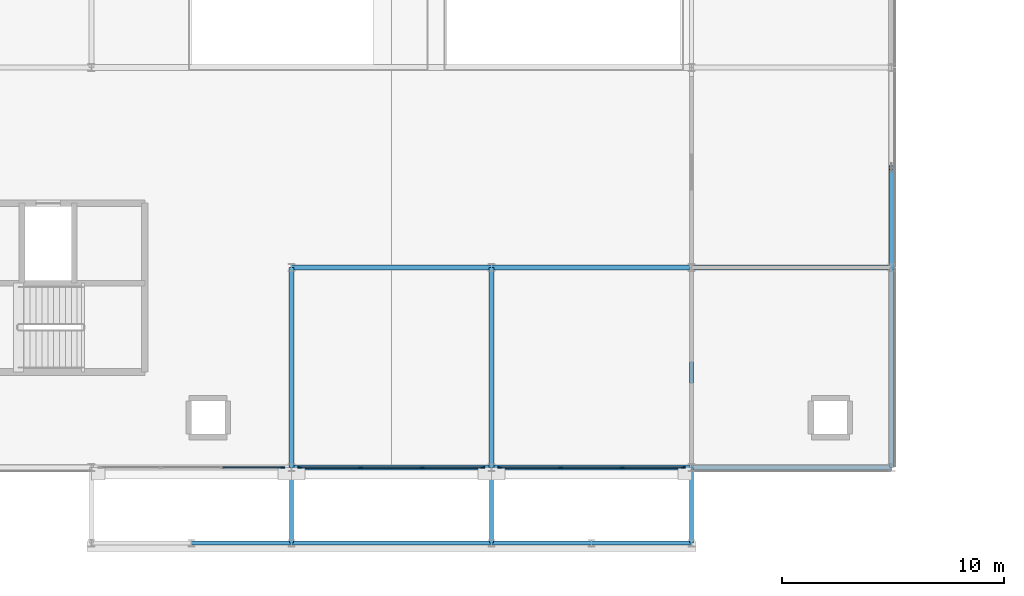
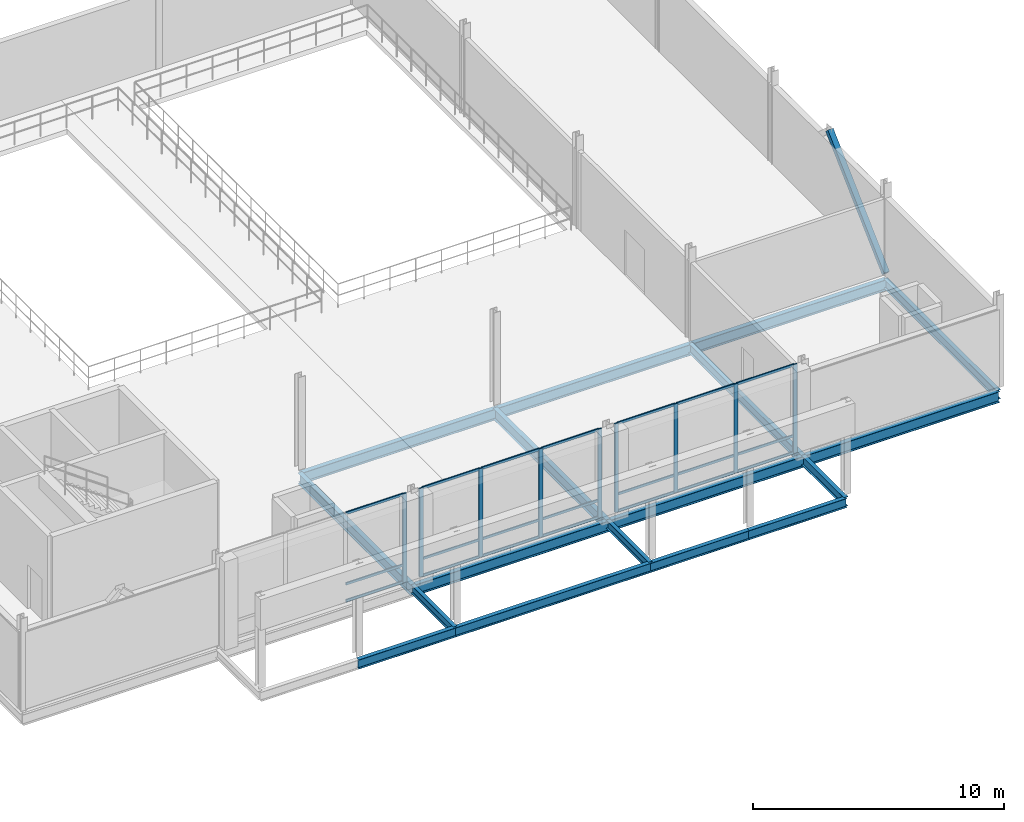
# One storey, part 46 of 130: 31 members, 17 beams, 3 elements without a shape of their own.
"""IFC4 building model written with IfcOpenShell, lengths in metres."""

from ifc_helpers import new_model, si_unit, direction, frame, origin, origin_2d, place, context, subcontext, project, spatial, rectangle, hollow_rectangle, i_section, extrude, material, material_profile, profile_set, type_object, element, aggregate, save


model = new_model("IFC4")

# Units and contexts
model_context = context("Model", 3, precision=1e-05, world=origin(), true_north=direction((0.0, 1.0)))
body_context = subcontext(model_context, "Body", "Model", "MODEL_VIEW")
ifc_project = project(units=[si_unit("LENGTHUNIT", "METRE"), si_unit("AREAUNIT", "SQUARE_METRE"), si_unit("VOLUMEUNIT", "CUBIC_METRE"), si_unit("PLANEANGLEUNIT", "RADIAN"), si_unit("MASSUNIT", "GRAM", prefix="KILO"), si_unit("THERMODYNAMICTEMPERATUREUNIT", "KELVIN"), si_unit("POWERUNIT", "WATT")], contexts=[model_context])

# Site, building, storey
site_placement = place(None, origin())
site = spatial("IfcSite", under=ifc_project, at=site_placement, CompositionType="ELEMENT")
building_placement = place(site_placement, origin())
building = spatial("IfcBuilding", under=site, at=building_placement, Name="Tallowbark Science Centre", CompositionType="ELEMENT")
storey_placement = place(building_placement, frame((0.0, 0.0, 5.39990234375)))
storey = spatial("IfcBuildingStorey", under=building, at=storey_placement, Name="L01", CompositionType="ELEMENT", Elevation=5.39990234375)

# Beams
ifc_material_1 = material(Name="Structural Steel Grade 300PLUS (300 MPa)", Category="steel")
ifc_material_profile_1 = material_profile(ifc_material_1, i_section(OverallWidth=0.177734375, OverallDepth=0.406494140625, WebThickness=0.0078125, FlangeThickness=0.0126953125, FilletRadius=0.011474609375, at=origin_2d()), Name="410UB59.7")
ifc_profile_set_1 = profile_set([ifc_material_profile_1], Name="Structural Steel Grade 300PLUS (300 MPa)")
beam_type_1 = type_object("IfcBeamType", Name="BM-UB410", PredefinedType="BEAM", material=ifc_profile_set_1)
for number, where, z_axis, x_axis, name in (
    (1, (130.5, -3.39990234375, -0.447998046875), (0.0, 1.0, 0.0), (-1.0, 0.0, 0.0), "Primary Girder GRDY-L01-1305--34-0"),
    (2, (139.5, -3.39990234375, -0.447998046875), (0.0, 1.0, 0.0), (-1.0, 0.0, 0.0), "Primary Girder GRDY-L01-1395--34-0"),
):
    element("IfcBeam", number, at=place(storey_placement, frame(where, z_axis=z_axis, x_axis=x_axis)), inside=storey, type_object=beam_type_1, Name=name, PredefinedType="BEAM", context=body_context, shape_type="SweptSolid", body=[
        extrude(i_section(OverallWidth=0.177734375, OverallDepth=0.406494140625, WebThickness=0.0078125, FlangeThickness=0.0126953125, FilletRadius=0.011474609375, at=origin_2d()), origin(), (0.0, 0.0, 1.0), 3.39990234375),
    ])
ifc_material_profile_2 = material_profile(ifc_material_1, i_section(OverallWidth=0.208984375, OverallDepth=0.532958984375, WebThickness=0.01025390625, FlangeThickness=0.015625, FilletRadius=0.013916015625, at=origin_2d()), Name="530UB92.4")
ifc_profile_set_2 = profile_set([ifc_material_profile_2], Name="Structural Steel Grade 300PLUS (300 MPa)")
beam_type_2 = type_object("IfcBeamType", Name="BM-UB530A", PredefinedType="BEAM", material=ifc_profile_set_2)
for number, where, z_axis, x_axis, name in (
    (3, (130.5, 9.0, -0.511474609375), (1.0, 0.0, 0.0), (0.0, 1.0, 0.0), "Primary Girder GRDX-L01-1305-1395-90"),
    (4, (139.5, 9.0, -0.511474609375), (1.0, 0.0, 0.0), (0.0, 1.0, 0.0), "Primary Girder GRDX-L01-1395-1485-90"),
    (5, (148.5, 9.0, -0.511474609375), (1.0, 0.0, 0.0), (0.0, 1.0, 0.0), "Primary Girder GRDX-L01-1485-1575-90"),
):
    element("IfcBeam", number, at=place(storey_placement, frame(where, z_axis=z_axis, x_axis=x_axis)), inside=storey, type_object=beam_type_2, Name=name, PredefinedType="BEAM", context=body_context, shape_type="SweptSolid", body=[
        extrude(i_section(OverallWidth=0.208984375, OverallDepth=0.532958984375, WebThickness=0.01025390625, FlangeThickness=0.015625, FilletRadius=0.013916015625, at=origin_2d()), origin(), (0.0, 0.0, 1.0), 9.0),
    ])
ifc_material_profile_3 = material_profile(ifc_material_1, i_section(OverallWidth=0.208740234375, OverallDepth=0.5283203125, WebThickness=0.009521484375, FlangeThickness=0.01318359375, FilletRadius=0.013916015625, at=origin_2d()), Name="530UB82.0")
ifc_profile_set_3 = profile_set([ifc_material_profile_3], Name="Structural Steel Grade 300PLUS (300 MPa)")
beam_type_3 = type_object("IfcBeamType", Name="BM-UB530B", PredefinedType="BEAM", material=ifc_profile_set_3)
for number, where, z_axis, x_axis, name in (
    (6, (130.5, 0.0, -0.509033203125), (0.0, 1.0, 0.0), (-1.0, 0.0, 0.0), "Primary Girder GRDY-L01-1305-0-90"),
    (7, (139.5, 0.0, -0.509033203125), (0.0, 1.0, 0.0), (-1.0, 0.0, 0.0), "Primary Girder GRDY-L01-1395-0-90"),
):
    element("IfcBeam", number, at=place(storey_placement, frame(where, z_axis=z_axis, x_axis=x_axis)), inside=storey, type_object=beam_type_3, Name=name, PredefinedType="BEAM", context=body_context, shape_type="SweptSolid", body=[
        extrude(i_section(OverallWidth=0.208740234375, OverallDepth=0.5283203125, WebThickness=0.009521484375, FlangeThickness=0.01318359375, FilletRadius=0.013916015625, at=origin_2d()), origin(), (0.0, 0.0, 1.0), 9.0),
    ])

# Member
ifc_material_2 = material(Name="Structural Steel Grade C350L0 (350 MPa)", Category="steel")
ifc_material_profile_4 = material_profile(ifc_material_2, hollow_rectangle(XDim=0.25, YDim=0.25, WallThickness=0.009033203125, at=origin_2d()), Name="250x250x9.0SHS")
ifc_profile_set_4 = profile_set([ifc_material_profile_4], Name="Structural Steel Grade C350L0 (350 MPa)")
member_type_1 = type_object("IfcMemberType", Name="CBF-250SHS", PredefinedType="BRACE", material=ifc_profile_set_4)
member_1_placement = place(storey_placement, frame((157.5, 9.0, 0.0), z_axis=(0.0, 0.72701315255, 0.686623532964), x_axis=(-1.0, 0.0, 0.0)))
element("IfcMember", 8, at=member_1_placement, inside=storey, type_object=member_type_1, Name="Concentric Chevron Brace CBF-THT-E1 L01 Left", PredefinedType="BRACE", context=body_context, shape_type="SweptSolid", body=[
    extrude(hollow_rectangle(XDim=0.25, YDim=0.25, WallThickness=0.009033203125, at=origin_2d()), origin(), (0.0, 0.0, 1.0), 6.189697265625),
])

# Curtain wall, member
ifc_material_3 = material(Name="Unitised Thermally Broken Aluminium and Low-E Double Glazing", Category="aluminium")
curtain_wall_type = type_object("IfcCurtainWallType", Name="CW-SYS-FACADE", PredefinedType="NOTDEFINED", material=ifc_material_3)
curtain_wall_1_placement = place(storey_placement, origin())
curtain_wall_1 = element("IfcCurtainWall", 9, at=curtain_wall_1_placement, inside=storey, type_object=curtain_wall_type, Name="Unitised Curtain Wall THT-POR-S-1 CW-L01-002", PredefinedType="NOTDEFINED")
ifc_material_4 = material(Name="Anodised Architectural Aluminium Alloy 6063-T6", Category="aluminium")
ifc_material_profile_5 = material_profile(ifc_material_4, rectangle(XDim=0.06494140625, YDim=0.179931640625, at=origin_2d()), Name="ALU65x180")
ifc_profile_set_5 = profile_set([ifc_material_profile_5], Name="Anodised Architectural Aluminium Alloy 6063-T6")
member_type_2 = type_object("IfcMemberType", Name="CWM-MUL-220", PredefinedType="MULLION", material=ifc_profile_set_5)
member_2_placement = place(storey_placement, frame((130.117431640625, 0.0, 0.0), z_axis=(0.0, 0.0, 1.0), x_axis=(0.0, 1.0, 0.0)))
member_2 = element("IfcMember", 10, at=member_2_placement, type_object=member_type_2, Name="CW-01 mullion 4", PredefinedType="MULLION", context=body_context, shape_type="SweptSolid", body=[
    extrude(rectangle(XDim=0.06494140625, YDim=0.179931640625, at=origin_2d()), origin(), (0.0, 0.0, 1.0), 4.320068359375),
])

# Curtain wall, members
curtain_wall_2_placement = place(storey_placement, origin())
curtain_wall_2 = element("IfcCurtainWall", 11, at=curtain_wall_2_placement, inside=storey, type_object=curtain_wall_type, Name="Unitised Curtain Wall THT-POR-S-2 CW-L01-003", PredefinedType="NOTDEFINED")
member_3_placement = place(storey_placement, frame((130.882568359375, 0.0, 0.0), z_axis=(0.0, 0.0, 1.0), x_axis=(0.0, 1.0, 0.0)))
member_3 = element("IfcMember", 12, at=member_3_placement, type_object=member_type_2, Name="CW-01 mullion 1", PredefinedType="MULLION", context=body_context, shape_type="SweptSolid", body=[
    extrude(rectangle(XDim=0.06494140625, YDim=0.179931640625, at=origin_2d()), origin(), (0.0, 0.0, 1.0), 4.320068359375),
])
member_4_placement = place(storey_placement, frame((133.61669921875, 0.0, 0.0), z_axis=(0.0, 0.0, 1.0), x_axis=(0.0, 1.0, 0.0)))
member_4 = element("IfcMember", 13, at=member_4_placement, type_object=member_type_2, Name="CW-01 mullion 2", PredefinedType="MULLION", context=body_context, shape_type="SweptSolid", body=[
    extrude(rectangle(XDim=0.06494140625, YDim=0.179931640625, at=origin_2d()), origin(), (0.0, 0.0, 1.0), 4.320068359375),
])
member_5_placement = place(storey_placement, frame((136.38330078125, 0.0, 0.0), z_axis=(0.0, 0.0, 1.0), x_axis=(0.0, 1.0, 0.0)))
member_5 = element("IfcMember", 14, at=member_5_placement, type_object=member_type_2, Name="CW-01 mullion 3", PredefinedType="MULLION", context=body_context, shape_type="SweptSolid", body=[
    extrude(rectangle(XDim=0.06494140625, YDim=0.179931640625, at=origin_2d()), origin(), (0.0, 0.0, 1.0), 4.320068359375),
])
member_6_placement = place(storey_placement, frame((139.117431640625, 0.0, 0.0), z_axis=(0.0, 0.0, 1.0), x_axis=(0.0, 1.0, 0.0)))
member_6 = element("IfcMember", 15, at=member_6_placement, type_object=member_type_2, Name="CW-01 mullion 4", PredefinedType="MULLION", context=body_context, shape_type="SweptSolid", body=[
    extrude(rectangle(XDim=0.06494140625, YDim=0.179931640625, at=origin_2d()), origin(), (0.0, 0.0, 1.0), 4.320068359375),
])

curtain_wall_3_placement = place(storey_placement, origin())
curtain_wall_3 = element("IfcCurtainWall", 16, at=curtain_wall_3_placement, inside=storey, type_object=curtain_wall_type, Name="Unitised Curtain Wall THT-POR-S-3 CW-L01-004", PredefinedType="NOTDEFINED")
member_7_placement = place(storey_placement, frame((139.882568359375, 0.0, 0.0), z_axis=(0.0, 0.0, 1.0), x_axis=(0.0, 1.0, 0.0)))
member_7 = element("IfcMember", 17, at=member_7_placement, type_object=member_type_2, Name="CW-01 mullion 1", PredefinedType="MULLION", context=body_context, shape_type="SweptSolid", body=[
    extrude(rectangle(XDim=0.06494140625, YDim=0.179931640625, at=origin_2d()), origin(), (0.0, 0.0, 1.0), 4.320068359375),
])
member_8_placement = place(storey_placement, frame((142.61669921875, 0.0, 0.0), z_axis=(0.0, 0.0, 1.0), x_axis=(0.0, 1.0, 0.0)))
member_8 = element("IfcMember", 18, at=member_8_placement, type_object=member_type_2, Name="CW-01 mullion 2", PredefinedType="MULLION", context=body_context, shape_type="SweptSolid", body=[
    extrude(rectangle(XDim=0.06494140625, YDim=0.179931640625, at=origin_2d()), origin(), (0.0, 0.0, 1.0), 4.320068359375),
])
member_9_placement = place(storey_placement, frame((145.38330078125, 0.0, 0.0), z_axis=(0.0, 0.0, 1.0), x_axis=(0.0, 1.0, 0.0)))
member_9 = element("IfcMember", 19, at=member_9_placement, type_object=member_type_2, Name="CW-01 mullion 3", PredefinedType="MULLION", context=body_context, shape_type="SweptSolid", body=[
    extrude(rectangle(XDim=0.06494140625, YDim=0.179931640625, at=origin_2d()), origin(), (0.0, 0.0, 1.0), 4.320068359375),
])
member_10_placement = place(storey_placement, frame((148.117431640625, 0.0, 0.0), z_axis=(0.0, 0.0, 1.0), x_axis=(0.0, 1.0, 0.0)))
member_10 = element("IfcMember", 20, at=member_10_placement, type_object=member_type_2, Name="CW-01 mullion 4", PredefinedType="MULLION", context=body_context, shape_type="SweptSolid", body=[
    extrude(rectangle(XDim=0.06494140625, YDim=0.179931640625, at=origin_2d()), origin(), (0.0, 0.0, 1.0), 4.320068359375),
])

# Member
ifc_material_profile_6 = material_profile(ifc_material_4, rectangle(XDim=0.054931640625, YDim=0.1201171875, at=origin_2d()), Name="ALU55x120")
ifc_profile_set_6 = profile_set([ifc_material_profile_6], Name="Anodised Architectural Aluminium Alloy 6063-T6")
member_type_3 = type_object("IfcMemberType", Name="CWM-TRN-150", PredefinedType="USERDEFINED", material=ifc_profile_set_6)
member_11_placement = place(storey_placement, frame((127.415771484375, 0.0, 0.027587890625), z_axis=(1.0, 0.0, 0.0), x_axis=(0.0, 1.0, 0.0)))
member_11 = element("IfcMember", 21, at=member_11_placement, type_object=member_type_3, Name="CW-01 transom 3.1", ObjectType="TRANSOM", PredefinedType="USERDEFINED", context=body_context, shape_type="SweptSolid", body=[
    extrude(rectangle(XDim=0.054931640625, YDim=0.1201171875, at=origin_2d()), origin(), (0.0, 0.0, 1.0), 2.669189453125),
])

member_12_placement = place(storey_placement, frame((127.415771484375, 0.0, 0.85009765625), z_axis=(1.0, 0.0, 0.0), x_axis=(0.0, 1.0, 0.0)))
member_12 = element("IfcMember", 22, at=member_12_placement, type_object=member_type_3, Name="CW-01 transom 3.2", ObjectType="TRANSOM", PredefinedType="USERDEFINED", context=body_context, shape_type="SweptSolid", body=[
    extrude(rectangle(XDim=0.054931640625, YDim=0.1201171875, at=origin_2d()), origin(), (0.0, 0.0, 1.0), 2.669189453125),
])

member_13_placement = place(storey_placement, frame((127.415771484375, 0.0, 4.29248046875), z_axis=(1.0, 0.0, 0.0), x_axis=(0.0, 1.0, 0.0)))
member_13 = element("IfcMember", 23, at=member_13_placement, type_object=member_type_3, Name="CW-01 transom 3.3", ObjectType="TRANSOM", PredefinedType="USERDEFINED", context=body_context, shape_type="SweptSolid", body=[
    extrude(rectangle(XDim=0.054931640625, YDim=0.1201171875, at=origin_2d()), origin(), (0.0, 0.0, 1.0), 2.669189453125),
])

aggregate(curtain_wall_1, [member_2, member_11, member_12, member_13])

member_14_placement = place(storey_placement, frame((130.9150390625, 0.0, 0.027587890625), z_axis=(1.0, 0.0, 0.0), x_axis=(0.0, 1.0, 0.0)))
member_14 = element("IfcMember", 24, at=member_14_placement, type_object=member_type_3, Name="CW-01 transom 1.1", ObjectType="TRANSOM", PredefinedType="USERDEFINED", context=body_context, shape_type="SweptSolid", body=[
    extrude(rectangle(XDim=0.054931640625, YDim=0.1201171875, at=origin_2d()), origin(), (0.0, 0.0, 1.0), 2.669189453125),
])

member_15_placement = place(storey_placement, frame((130.9150390625, 0.0, 0.85009765625), z_axis=(1.0, 0.0, 0.0), x_axis=(0.0, 1.0, 0.0)))
member_15 = element("IfcMember", 25, at=member_15_placement, type_object=member_type_3, Name="CW-01 transom 1.2", ObjectType="TRANSOM", PredefinedType="USERDEFINED", context=body_context, shape_type="SweptSolid", body=[
    extrude(rectangle(XDim=0.054931640625, YDim=0.1201171875, at=origin_2d()), origin(), (0.0, 0.0, 1.0), 2.669189453125),
])

member_16_placement = place(storey_placement, frame((130.9150390625, 0.0, 4.29248046875), z_axis=(1.0, 0.0, 0.0), x_axis=(0.0, 1.0, 0.0)))
member_16 = element("IfcMember", 26, at=member_16_placement, type_object=member_type_3, Name="CW-01 transom 1.3", ObjectType="TRANSOM", PredefinedType="USERDEFINED", context=body_context, shape_type="SweptSolid", body=[
    extrude(rectangle(XDim=0.054931640625, YDim=0.1201171875, at=origin_2d()), origin(), (0.0, 0.0, 1.0), 2.669189453125),
])

member_17_placement = place(storey_placement, frame((133.649169921875, 0.0, 0.027587890625), z_axis=(1.0, 0.0, 0.0), x_axis=(0.0, 1.0, 0.0)))
member_17 = element("IfcMember", 27, at=member_17_placement, type_object=member_type_3, Name="CW-01 transom 2.1", ObjectType="TRANSOM", PredefinedType="USERDEFINED", context=body_context, shape_type="SweptSolid", body=[
    extrude(rectangle(XDim=0.054931640625, YDim=0.1201171875, at=origin_2d()), origin(), (0.0, 0.0, 1.0), 2.70166015625),
])

member_18_placement = place(storey_placement, frame((133.649169921875, 0.0, 0.85009765625), z_axis=(1.0, 0.0, 0.0), x_axis=(0.0, 1.0, 0.0)))
member_18 = element("IfcMember", 28, at=member_18_placement, type_object=member_type_3, Name="CW-01 transom 2.2", ObjectType="TRANSOM", PredefinedType="USERDEFINED", context=body_context, shape_type="SweptSolid", body=[
    extrude(rectangle(XDim=0.054931640625, YDim=0.1201171875, at=origin_2d()), origin(), (0.0, 0.0, 1.0), 2.70166015625),
])

member_19_placement = place(storey_placement, frame((133.649169921875, 0.0, 4.29248046875), z_axis=(1.0, 0.0, 0.0), x_axis=(0.0, 1.0, 0.0)))
member_19 = element("IfcMember", 29, at=member_19_placement, type_object=member_type_3, Name="CW-01 transom 2.3", ObjectType="TRANSOM", PredefinedType="USERDEFINED", context=body_context, shape_type="SweptSolid", body=[
    extrude(rectangle(XDim=0.054931640625, YDim=0.1201171875, at=origin_2d()), origin(), (0.0, 0.0, 1.0), 2.70166015625),
])

member_20_placement = place(storey_placement, frame((136.415771484375, 0.0, 0.027587890625), z_axis=(1.0, 0.0, 0.0), x_axis=(0.0, 1.0, 0.0)))
member_20 = element("IfcMember", 30, at=member_20_placement, type_object=member_type_3, Name="CW-01 transom 3.1", ObjectType="TRANSOM", PredefinedType="USERDEFINED", context=body_context, shape_type="SweptSolid", body=[
    extrude(rectangle(XDim=0.054931640625, YDim=0.1201171875, at=origin_2d()), origin(), (0.0, 0.0, 1.0), 2.669189453125),
])

member_21_placement = place(storey_placement, frame((136.415771484375, 0.0, 0.85009765625), z_axis=(1.0, 0.0, 0.0), x_axis=(0.0, 1.0, 0.0)))
member_21 = element("IfcMember", 31, at=member_21_placement, type_object=member_type_3, Name="CW-01 transom 3.2", ObjectType="TRANSOM", PredefinedType="USERDEFINED", context=body_context, shape_type="SweptSolid", body=[
    extrude(rectangle(XDim=0.054931640625, YDim=0.1201171875, at=origin_2d()), origin(), (0.0, 0.0, 1.0), 2.669189453125),
])

member_22_placement = place(storey_placement, frame((136.415771484375, 0.0, 4.29248046875), z_axis=(1.0, 0.0, 0.0), x_axis=(0.0, 1.0, 0.0)))
member_22 = element("IfcMember", 32, at=member_22_placement, type_object=member_type_3, Name="CW-01 transom 3.3", ObjectType="TRANSOM", PredefinedType="USERDEFINED", context=body_context, shape_type="SweptSolid", body=[
    extrude(rectangle(XDim=0.054931640625, YDim=0.1201171875, at=origin_2d()), origin(), (0.0, 0.0, 1.0), 2.669189453125),
])

aggregate(curtain_wall_2, [member_3, member_4, member_5, member_6, member_14, member_15, member_16, member_17, member_18, member_19, member_20, member_21, member_22])

member_23_placement = place(storey_placement, frame((139.9150390625, 0.0, 0.027587890625), z_axis=(1.0, 0.0, 0.0), x_axis=(0.0, 1.0, 0.0)))
member_23 = element("IfcMember", 33, at=member_23_placement, type_object=member_type_3, Name="CW-01 transom 1.1", ObjectType="TRANSOM", PredefinedType="USERDEFINED", context=body_context, shape_type="SweptSolid", body=[
    extrude(rectangle(XDim=0.054931640625, YDim=0.1201171875, at=origin_2d()), origin(), (0.0, 0.0, 1.0), 2.669189453125),
])

member_24_placement = place(storey_placement, frame((139.9150390625, 0.0, 0.85009765625), z_axis=(1.0, 0.0, 0.0), x_axis=(0.0, 1.0, 0.0)))
member_24 = element("IfcMember", 34, at=member_24_placement, type_object=member_type_3, Name="CW-01 transom 1.2", ObjectType="TRANSOM", PredefinedType="USERDEFINED", context=body_context, shape_type="SweptSolid", body=[
    extrude(rectangle(XDim=0.054931640625, YDim=0.1201171875, at=origin_2d()), origin(), (0.0, 0.0, 1.0), 2.669189453125),
])

member_25_placement = place(storey_placement, frame((139.9150390625, 0.0, 4.29248046875), z_axis=(1.0, 0.0, 0.0), x_axis=(0.0, 1.0, 0.0)))
member_25 = element("IfcMember", 35, at=member_25_placement, type_object=member_type_3, Name="CW-01 transom 1.3", ObjectType="TRANSOM", PredefinedType="USERDEFINED", context=body_context, shape_type="SweptSolid", body=[
    extrude(rectangle(XDim=0.054931640625, YDim=0.1201171875, at=origin_2d()), origin(), (0.0, 0.0, 1.0), 2.669189453125),
])

member_26_placement = place(storey_placement, frame((142.649169921875, 0.0, 0.027587890625), z_axis=(1.0, 0.0, 0.0), x_axis=(0.0, 1.0, 0.0)))
member_26 = element("IfcMember", 36, at=member_26_placement, type_object=member_type_3, Name="CW-01 transom 2.1", ObjectType="TRANSOM", PredefinedType="USERDEFINED", context=body_context, shape_type="SweptSolid", body=[
    extrude(rectangle(XDim=0.054931640625, YDim=0.1201171875, at=origin_2d()), origin(), (0.0, 0.0, 1.0), 2.70166015625),
])

member_27_placement = place(storey_placement, frame((142.649169921875, 0.0, 0.85009765625), z_axis=(1.0, 0.0, 0.0), x_axis=(0.0, 1.0, 0.0)))
member_27 = element("IfcMember", 37, at=member_27_placement, type_object=member_type_3, Name="CW-01 transom 2.2", ObjectType="TRANSOM", PredefinedType="USERDEFINED", context=body_context, shape_type="SweptSolid", body=[
    extrude(rectangle(XDim=0.054931640625, YDim=0.1201171875, at=origin_2d()), origin(), (0.0, 0.0, 1.0), 2.70166015625),
])

member_28_placement = place(storey_placement, frame((142.649169921875, 0.0, 4.29248046875), z_axis=(1.0, 0.0, 0.0), x_axis=(0.0, 1.0, 0.0)))
member_28 = element("IfcMember", 38, at=member_28_placement, type_object=member_type_3, Name="CW-01 transom 2.3", ObjectType="TRANSOM", PredefinedType="USERDEFINED", context=body_context, shape_type="SweptSolid", body=[
    extrude(rectangle(XDim=0.054931640625, YDim=0.1201171875, at=origin_2d()), origin(), (0.0, 0.0, 1.0), 2.70166015625),
])

member_29_placement = place(storey_placement, frame((145.415771484375, 0.0, 0.027587890625), z_axis=(1.0, 0.0, 0.0), x_axis=(0.0, 1.0, 0.0)))
member_29 = element("IfcMember", 39, at=member_29_placement, type_object=member_type_3, Name="CW-01 transom 3.1", ObjectType="TRANSOM", PredefinedType="USERDEFINED", context=body_context, shape_type="SweptSolid", body=[
    extrude(rectangle(XDim=0.054931640625, YDim=0.1201171875, at=origin_2d()), origin(), (0.0, 0.0, 1.0), 2.669189453125),
])

member_30_placement = place(storey_placement, frame((145.415771484375, 0.0, 0.85009765625), z_axis=(1.0, 0.0, 0.0), x_axis=(0.0, 1.0, 0.0)))
member_30 = element("IfcMember", 40, at=member_30_placement, type_object=member_type_3, Name="CW-01 transom 3.2", ObjectType="TRANSOM", PredefinedType="USERDEFINED", context=body_context, shape_type="SweptSolid", body=[
    extrude(rectangle(XDim=0.054931640625, YDim=0.1201171875, at=origin_2d()), origin(), (0.0, 0.0, 1.0), 2.669189453125),
])

member_31_placement = place(storey_placement, frame((145.415771484375, 0.0, 4.29248046875), z_axis=(1.0, 0.0, 0.0), x_axis=(0.0, 1.0, 0.0)))
member_31 = element("IfcMember", 41, at=member_31_placement, type_object=member_type_3, Name="CW-01 transom 3.3", ObjectType="TRANSOM", PredefinedType="USERDEFINED", context=body_context, shape_type="SweptSolid", body=[
    extrude(rectangle(XDim=0.054931640625, YDim=0.1201171875, at=origin_2d()), origin(), (0.0, 0.0, 1.0), 2.669189453125),
])

aggregate(curtain_wall_3, [member_7, member_8, member_9, member_10, member_23, member_24, member_25, member_26, member_27, member_28, member_29, member_30, member_31])

# Beams
ifc_material_profile_7 = material_profile(ifc_material_1, i_section(OverallWidth=0.208984375, OverallDepth=0.532958984375, WebThickness=0.01025390625, FlangeThickness=0.015625, FilletRadius=0.013916015625, at=origin_2d()), Name="530UB92.4")
ifc_profile_set_7 = profile_set([ifc_material_profile_7], Name="Structural Steel Grade 300PLUS (300 MPa)")
beam_type_4 = type_object("IfcBeamType", Name="LNT-UB530", PredefinedType="LINTEL", material=ifc_profile_set_7)
for number, where, z_axis, x_axis, name in (
    (42, (130.5, 0.0, -0.511474609375), (1.0, 0.0, 0.0), (0.0, 1.0, 0.0), "Primary Girder GRDX-L01-1305-1395-0"),
    (43, (139.5, 0.0, -0.511474609375), (1.0, 0.0, 0.0), (0.0, 1.0, 0.0), "Primary Girder GRDX-L01-1395-1485-0"),
    (44, (148.5, 0.0, -0.511474609375), (1.0, 0.0, 0.0), (0.0, 1.0, 0.0), "Primary Girder GRDX-L01-1485-1575-0"),
):
    element("IfcBeam", number, at=place(storey_placement, frame(where, z_axis=z_axis, x_axis=x_axis)), inside=storey, type_object=beam_type_4, Name=name, PredefinedType="LINTEL", context=body_context, shape_type="SweptSolid", body=[
        extrude(i_section(OverallWidth=0.208984375, OverallDepth=0.532958984375, WebThickness=0.01025390625, FlangeThickness=0.015625, FilletRadius=0.013916015625, at=origin_2d()), origin(), (0.0, 0.0, 1.0), 9.0),
    ])
ifc_material_profile_8 = material_profile(ifc_material_1, i_section(OverallWidth=0.18994140625, OverallDepth=0.453857421875, WebThickness=0.008544921875, FlangeThickness=0.0126953125, FilletRadius=0.011474609375, at=origin_2d()), Name="460UB67.1")
ifc_profile_set_8 = profile_set([ifc_material_profile_8], Name="Structural Steel Grade 300PLUS (300 MPa)")
beam_type_5 = type_object("IfcBeamType", Name="SPN-UB460", PredefinedType="SPANDREL", material=ifc_profile_set_8)
beam_1_placement = place(storey_placement, frame((126.0, -3.39990234375, -0.471923828125), z_axis=(1.0, 0.0, 0.0), x_axis=(0.0, 1.0, 0.0)))
element("IfcBeam", 45, at=beam_1_placement, inside=storey, type_object=beam_type_5, Name="Primary Girder GRDX-L01-1260-1305--34", PredefinedType="SPANDREL", context=body_context, shape_type="SweptSolid", body=[
    extrude(i_section(OverallWidth=0.18994140625, OverallDepth=0.453857421875, WebThickness=0.008544921875, FlangeThickness=0.0126953125, FilletRadius=0.011474609375, at=origin_2d()), origin(), (0.0, 0.0, 1.0), 4.5),
])
beam_2_placement = place(storey_placement, frame((130.5, -3.39990234375, -0.471923828125), z_axis=(1.0, 0.0, 0.0), x_axis=(0.0, 1.0, 0.0)))
element("IfcBeam", 46, at=beam_2_placement, inside=storey, type_object=beam_type_5, Name="Primary Girder GRDX-L01-1305-1395--34", PredefinedType="SPANDREL", context=body_context, shape_type="SweptSolid", body=[
    extrude(i_section(OverallWidth=0.18994140625, OverallDepth=0.453857421875, WebThickness=0.008544921875, FlangeThickness=0.0126953125, FilletRadius=0.011474609375, at=origin_2d()), origin(), (0.0, 0.0, 1.0), 9.0),
])
for number, where, z_axis, x_axis, name in (
    (47, (139.5, -3.39990234375, -0.471923828125), (1.0, 0.0, 0.0), (0.0, 1.0, 0.0), "Primary Girder GRDX-L01-1395-1440--34"),
    (48, (144.0, -3.39990234375, -0.471923828125), (1.0, 0.0, 0.0), (0.0, 1.0, 0.0), "Primary Girder GRDX-L01-1440-1485--34"),
):
    element("IfcBeam", number, at=place(storey_placement, frame(where, z_axis=z_axis, x_axis=x_axis)), inside=storey, type_object=beam_type_5, Name=name, PredefinedType="SPANDREL", context=body_context, shape_type="SweptSolid", body=[
        extrude(i_section(OverallWidth=0.18994140625, OverallDepth=0.453857421875, WebThickness=0.008544921875, FlangeThickness=0.0126953125, FilletRadius=0.011474609375, at=origin_2d()), origin(), (0.0, 0.0, 1.0), 4.5),
    ])
beam_3_placement = place(storey_placement, frame((148.5, -3.39990234375, -0.471923828125), z_axis=(0.0, 1.0, 0.0), x_axis=(-1.0, 0.0, 0.0)))
element("IfcBeam", 49, at=beam_3_placement, inside=storey, type_object=beam_type_5, Name="Primary Girder GRDY-L01-1485--34-0", PredefinedType="SPANDREL", context=body_context, shape_type="SweptSolid", body=[
    extrude(i_section(OverallWidth=0.18994140625, OverallDepth=0.453857421875, WebThickness=0.008544921875, FlangeThickness=0.0126953125, FilletRadius=0.011474609375, at=origin_2d()), origin(), (0.0, 0.0, 1.0), 3.39990234375),
])
for number, where, z_axis, x_axis, name in (
    (50, (148.5, 0.0, -0.471923828125), (0.0, 1.0, 0.0), (-1.0, 0.0, 0.0), "Primary Girder GRDY-L01-1485-0-90"),
    (51, (157.5, 0.0, -0.471923828125), (0.0, 1.0, 0.0), (-1.0, 0.0, 0.0), "Primary Girder GRDY-L01-1575-0-90"),
):
    element("IfcBeam", number, at=place(storey_placement, frame(where, z_axis=z_axis, x_axis=x_axis)), inside=storey, type_object=beam_type_5, Name=name, PredefinedType="SPANDREL", context=body_context, shape_type="SweptSolid", body=[
        extrude(i_section(OverallWidth=0.18994140625, OverallDepth=0.453857421875, WebThickness=0.008544921875, FlangeThickness=0.0126953125, FilletRadius=0.011474609375, at=origin_2d()), origin(), (0.0, 0.0, 1.0), 9.0),
    ])

save(model, "model.ifc")
